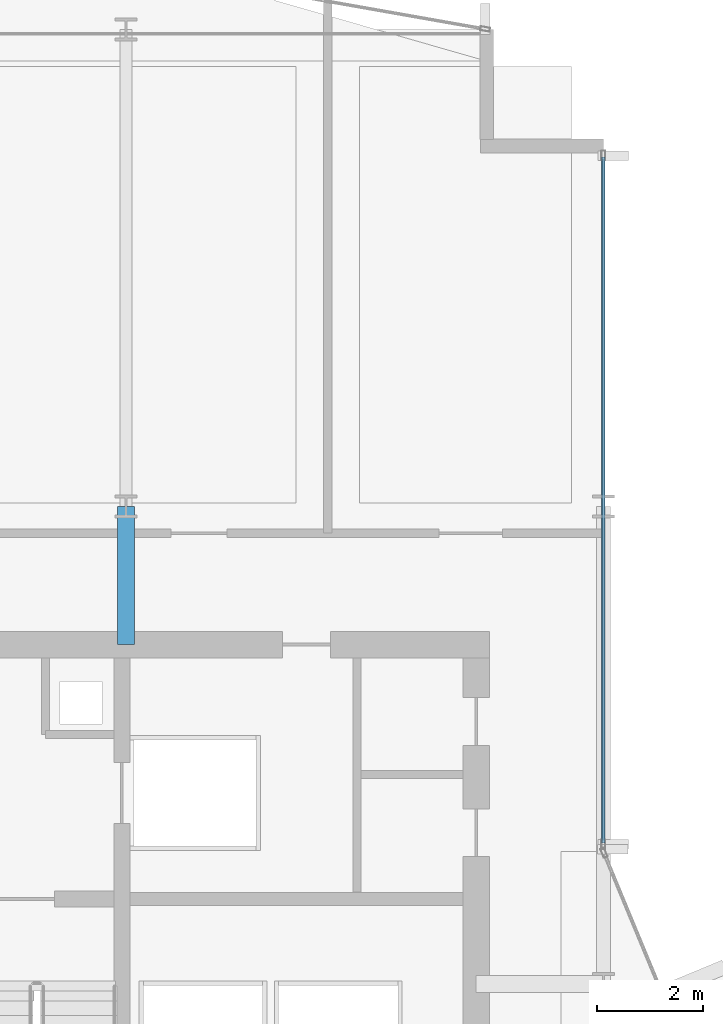
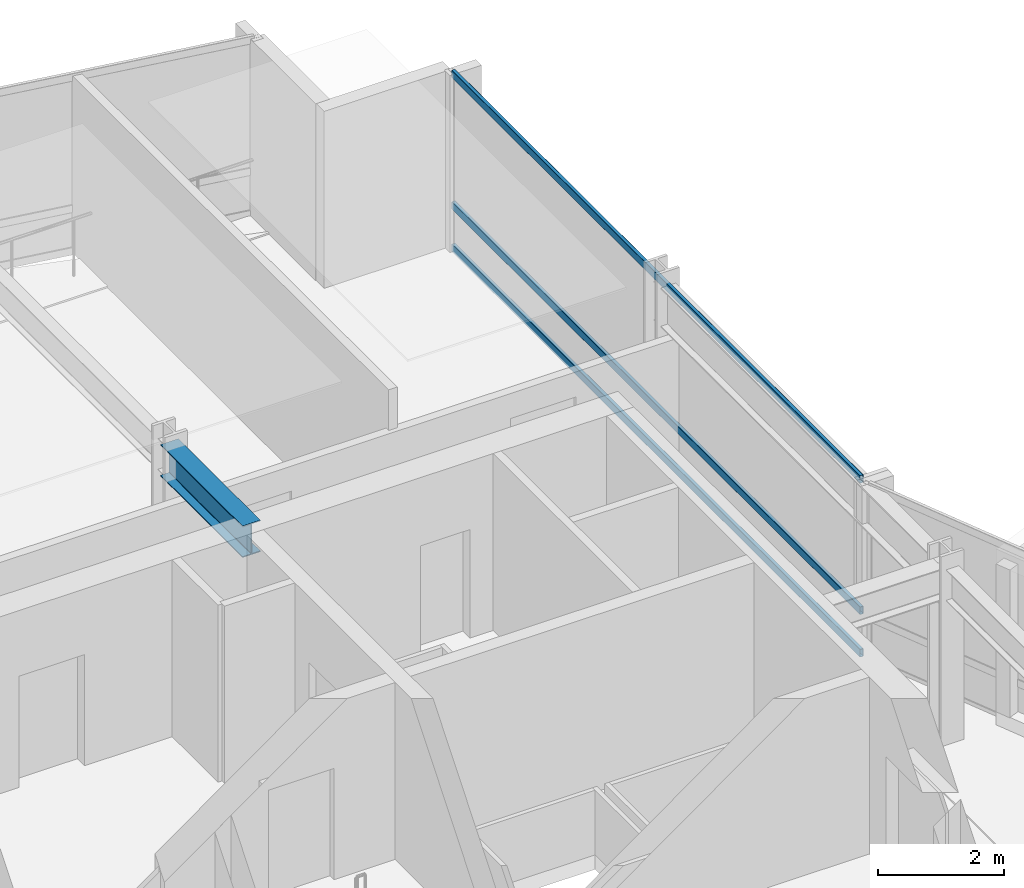
# One storey, part 18 of 28: 3 members, 1 beam, 1 element without a shape of its own.
"""IFC4 building model written with IfcOpenShell, lengths in metres."""

from ifc_helpers import new_model, si_unit, direction, frame, origin, origin_2d, place, context, subcontext, project, spatial, hollow_rectangle, i_section, extrude, material, layer, layer_set, material_profile, profile_set, type_object, element, aggregate, save


model = new_model("IFC4")

# Units and contexts
model_context = context("Model", 3, precision=1e-05, world=origin(), true_north=direction((0.0, 1.0)))
body_context = subcontext(model_context, "Body", "Model", "MODEL_VIEW")
ifc_project = project(units=[si_unit("LENGTHUNIT", "METRE"), si_unit("AREAUNIT", "SQUARE_METRE"), si_unit("VOLUMEUNIT", "CUBIC_METRE"), si_unit("PLANEANGLEUNIT", "RADIAN"), si_unit("MASSUNIT", "GRAM", prefix="KILO")], contexts=[model_context])

# Site, building, storey
site_placement = place(None, origin())
site = spatial("IfcSite", under=ifc_project, at=site_placement, CompositionType="ELEMENT")
building_placement = place(site_placement, origin())
building = spatial("IfcBuilding", under=site, at=building_placement, Name="Solvaryn Broadcast Tower", CompositionType="ELEMENT")
storey_placement = place(building_placement, frame((0.0, 0.0, 154.39990234375)))
storey = spatial("IfcBuildingStorey", under=building, at=storey_placement, Name="L38", CompositionType="ELEMENT", Elevation=154.39990234375)

# Beam
ifc_material_1 = material(Name="Steel ASTM A992 Grade 50", Category="steel")
ifc_material_profile_1 = material_profile(ifc_material_1, i_section(OverallWidth=0.323974609375, OverallDepth=0.611083984375, WebThickness=0.0126953125, FlangeThickness=0.01904296875, FilletRadius=0.014892578125, at=origin_2d()))
ifc_profile_set_1 = profile_set([ifc_material_profile_1], Name="Steel ASTM A992 Grade 50")
beam_type = type_object("IfcBeamType", Name="BM-B1-W24X104", PredefinedType="BEAM", material=ifc_profile_set_1)
beam_placement = place(storey_placement, frame((18.0, 42.39990234375, 3.114501953125), z_axis=(0.0, 1.0, 0.0), x_axis=(-1.0, 0.0, 0.0)))
element("IfcBeam", 1, at=beam_placement, inside=storey, type_object=beam_type, Name="L38 Core Tie Beam CTW3", PredefinedType="BEAM", context=body_context, shape_type="SweptSolid", body=[
    extrude(i_section(OverallWidth=0.323974609375, OverallDepth=0.611083984375, WebThickness=0.0126953125, FlangeThickness=0.01904296875, FilletRadius=0.014892578125, at=origin_2d()), origin(), (0.0, 0.0, 1.0), 2.60009765625),
])

# Curtain wall, members
ifc_material_2 = material(Name="Aluminium and Terracotta Unitised Curtain Wall", Category="masonry")
ifc_layer = layer(ifc_material_2, 0.199951171875)
ifc_layer_set = layer_set([ifc_layer], Name="CW-SYS2-LOWMID")
curtain_wall_type = type_object("IfcCurtainWallType", Name="CW-SYS2-LOWMID", PredefinedType="NOTDEFINED", material=ifc_layer_set)
curtain_wall_placement = place(storey_placement, origin())
curtain_wall = element("IfcCurtainWall", 2, at=curtain_wall_placement, inside=storey, type_object=curtain_wall_type, Name="L38 Curtain Wall IV", PredefinedType="NOTDEFINED")
ifc_material_3 = material(Name="Anodised Aluminium 6063-T6", Category="aluminium")
ifc_material_profile_2 = material_profile(ifc_material_3, hollow_rectangle(XDim=0.06494140625, YDim=0.14990234375, WallThickness=0.00390625, InnerFilletRadius=0.00390625, OuterFilletRadius=0.008056640625, at=origin_2d()))
ifc_profile_set_2 = profile_set([ifc_material_profile_2], Name="Anodised Aluminium 6063-T6")
member_type = type_object("IfcMemberType", Name="CW-TRN-150", PredefinedType="USERDEFINED", material=ifc_profile_set_2)
member_1_placement = place(storey_placement, frame((27.0, 51.590087890625, 0.030029296875), z_axis=(0.0, -1.0, 0.0), x_axis=(1.0, 0.0, 0.0)))
member_1 = element("IfcMember", 3, at=member_1_placement, type_object=member_type, Name="CWS2 transom 1.1", ObjectType="TRANSOM", PredefinedType="USERDEFINED", context=body_context, shape_type="SweptSolid", body=[
    extrude(hollow_rectangle(XDim=0.06494140625, YDim=0.14990234375, WallThickness=0.00390625, InnerFilletRadius=0.00390625, OuterFilletRadius=0.008056640625, at=origin_2d()), origin(), (0.0, 0.0, 1.0), 12.93017578125),
])
member_2_placement = place(storey_placement, frame((27.0, 51.590087890625, 0.85009765625), z_axis=(0.0, -1.0, 0.0), x_axis=(1.0, 0.0, 0.0)))
member_2 = element("IfcMember", 4, at=member_2_placement, type_object=member_type, Name="CWS2 transom 1.2", ObjectType="TRANSOM", PredefinedType="USERDEFINED", context=body_context, shape_type="SweptSolid", body=[
    extrude(hollow_rectangle(XDim=0.06494140625, YDim=0.14990234375, WallThickness=0.00390625, InnerFilletRadius=0.00390625, OuterFilletRadius=0.008056640625, at=origin_2d()), origin(), (0.0, 0.0, 1.0), 12.93017578125),
])
member_3_placement = place(storey_placement, frame((27.0, 51.590087890625, 3.39013671875), z_axis=(0.0, -1.0, 0.0), x_axis=(1.0, 0.0, 0.0)))
member_3 = element("IfcMember", 5, at=member_3_placement, type_object=member_type, Name="CWS2 transom 1.3", ObjectType="TRANSOM", PredefinedType="USERDEFINED", context=body_context, shape_type="SweptSolid", body=[
    extrude(hollow_rectangle(XDim=0.06494140625, YDim=0.14990234375, WallThickness=0.00390625, InnerFilletRadius=0.00390625, OuterFilletRadius=0.008056640625, at=origin_2d()), origin(), (0.0, 0.0, 1.0), 12.93017578125),
])
aggregate(curtain_wall, [member_1, member_2, member_3])

save(model, "model.ifc")
